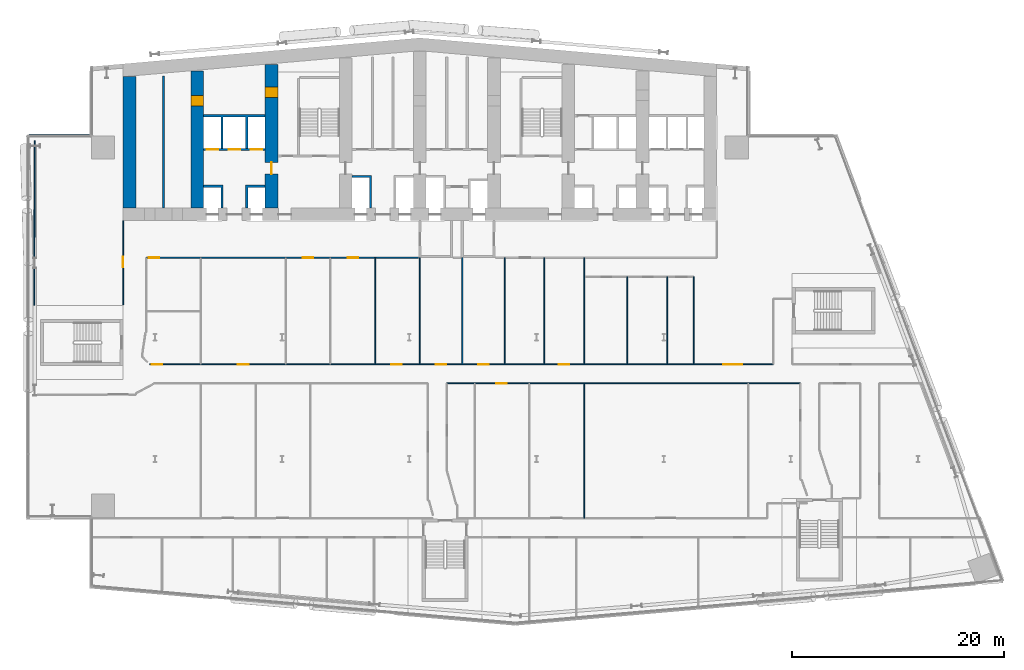
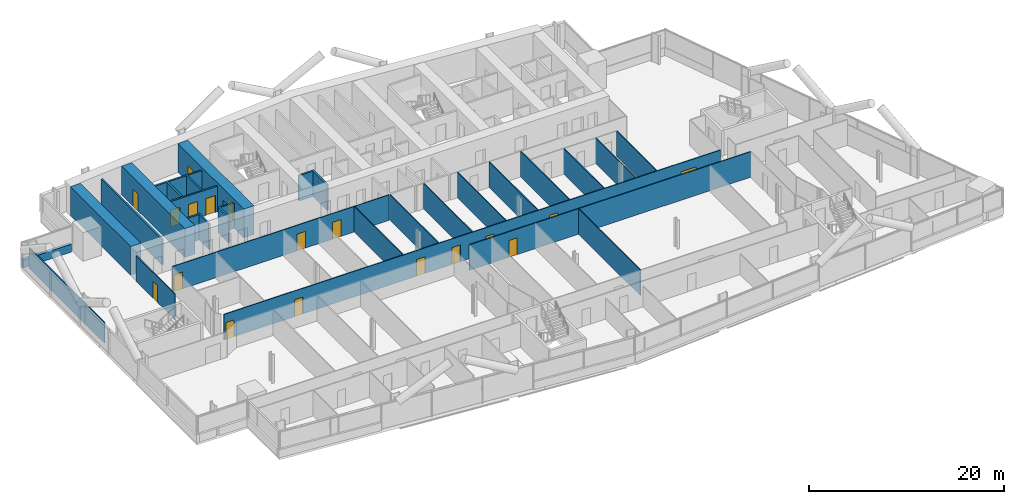
# One storey, part 16 of 28: 26 walls, 18 doors, 18 openings.
"""IFC4 building model written with IfcOpenShell, lengths in metres."""

from ifc_helpers import new_model, si_unit, direction, frame, frame_2d, origin, place, context, subcontext, project, spatial, polyline, rectangle, outline, extrude, material, layer, layer_set, type_object, element, fill, save


model = new_model("IFC4")

# Units and contexts
model_context = context("Model", 3, precision=1e-05, world=origin(), true_north=direction((0.0, 1.0)))
body_context = subcontext(model_context, "Body", "Model", "MODEL_VIEW")
ifc_project = project(units=[si_unit("LENGTHUNIT", "METRE"), si_unit("AREAUNIT", "SQUARE_METRE"), si_unit("VOLUMEUNIT", "CUBIC_METRE"), si_unit("PLANEANGLEUNIT", "RADIAN"), si_unit("MASSUNIT", "GRAM", prefix="KILO")], contexts=[model_context])

# Site, building, storey
site_placement = place(None, origin())
site = spatial("IfcSite", under=ifc_project, at=site_placement, CompositionType="ELEMENT")
building_placement = place(site_placement, origin())
building = spatial("IfcBuilding", under=site, at=building_placement, Name="Wharfspan Tower", CompositionType="ELEMENT")
storey_placement = place(building_placement, frame((0.0, 0.0, 52.300049)))
storey = spatial("IfcBuildingStorey", under=building, at=storey_placement, Name="L09", CompositionType="ELEMENT", Elevation=52.300049)

# Wall, opening, door
ifc_material_1 = material(Name="Gypsum board on steel studs", Category="steel")
ifc_layer_1 = layer(ifc_material_1, 0.100098)
ifc_layer_set_1 = layer_set([ifc_layer_1], Name="Gypsum board on steel studs")
wall_type_1 = type_object("IfcWallType", Name="Compartment wall 100 EI 60", PredefinedType="PARTITIONING", material=ifc_layer_set_1)
wall_1_placement = place(storey_placement, frame((9.0, 26.050049, 0.0), z_axis=(0.0, 0.0, 1.0), x_axis=(0.0, 1.0, 0.0)))
wall_1 = element("IfcWall", 1, at=wall_1_placement, inside=storey, type_object=wall_type_1, Name="Partition L09.w006", PredefinedType="PARTITIONING", context=body_context, shape_type="SweptSolid", body=[
    extrude(rectangle(XDim=7.929932, YDim=0.100098, at=frame_2d((3.964844, 0.0))), origin(), (0.0, 0.0, 1.0), 3.199951),
])
opening_1_placement = place(wall_1_placement, frame((3.530029, 0.0, 0.0)))
opening_1 = element("IfcOpeningElement", 2, at=opening_1_placement, cuts=wall_1, Name="Opening A2-35", PredefinedType="OPENING", context=body_context, shape_type="SweptSolid", body=[
    extrude(rectangle(XDim=1.0, YDim=2.100098, at=frame_2d((0.5, 1.050049))), frame((0.0, 0.060059, 0.0), z_axis=(0.0, -1.0, 0.0), x_axis=(1.0, 0.0, 0.0)), (0.0, 0.0, 1.0), 0.120117),
])
ifc_material_2 = material(Name="Fire-rated timber door leaf in steel frame", Category="steel")
door_type_1 = type_object("IfcDoorType", Name="Door 1000 FD30S Right", OperationType="SINGLE_SWING_RIGHT", PredefinedType="DOOR", material=ifc_material_2)
door_1_placement = place(opening_1_placement, origin())
door_1 = element("IfcDoor", 3, at=door_1_placement, inside=storey, type_object=door_type_1, Name="Door A2-35", OperationType="SINGLE_SWING_RIGHT", OverallHeight=2.100098, OverallWidth=1.0, PredefinedType="DOOR", context=body_context, shape_type="SweptSolid", body=[
    extrude(rectangle(XDim=1.0, YDim=2.100098, at=frame_2d((0.5, 1.050049))), frame((0.0, 0.024902, 0.0), z_axis=(0.0, -1.0, 0.0), x_axis=(1.0, 0.0, 0.0)), (0.0, 0.0, 1.0), 0.050049),
])
fill(opening_1, door_1)

# Wall, openings, doors
wall_2_placement = place(storey_placement, frame((11.199951, 30.5, 0.0), z_axis=(0.0, 0.0, 1.0), x_axis=(1.0, 0.0, 0.0)))
wall_2 = element("IfcWall", 4, at=wall_2_placement, inside=storey, type_object=wall_type_1, Name="Partition L09.w015", PredefinedType="PARTITIONING", context=body_context, shape_type="SweptSolid", body=[
    extrude(rectangle(XDim=25.650146, YDim=0.100098, at=frame_2d((12.825195, 0.0))), origin(), (0.0, 0.0, 1.0), 3.199951),
])
opening_2_placement = place(wall_2_placement, frame((0.195068, 0.0, 0.0)))
opening_2 = element("IfcOpeningElement", 5, at=opening_2_placement, cuts=wall_2, Name="Opening A2-36", PredefinedType="OPENING", context=body_context, shape_type="SweptSolid", body=[
    extrude(rectangle(XDim=1.0, YDim=2.100098, at=frame_2d((0.5, 1.050049))), frame((0.0, 0.060059, 0.0), z_axis=(0.0, -1.0, 0.0), x_axis=(1.0, 0.0, 0.0)), (0.0, 0.0, 1.0), 0.120117),
])
opening_3_placement = place(wall_2_placement, frame((14.754883, 0.0, 0.0)))
opening_3 = element("IfcOpeningElement", 6, at=opening_3_placement, cuts=wall_2, Name="Opening A2-37", PredefinedType="OPENING", context=body_context, shape_type="SweptSolid", body=[
    extrude(rectangle(XDim=1.0, YDim=2.100098, at=frame_2d((0.5, 1.050049))), frame((0.0, 0.060059, 0.0), z_axis=(0.0, -1.0, 0.0), x_axis=(1.0, 0.0, 0.0)), (0.0, 0.0, 1.0), 0.120117),
])
opening_4_placement = place(wall_2_placement, frame((18.975098, 0.0, 0.0)))
opening_4 = element("IfcOpeningElement", 7, at=opening_4_placement, cuts=wall_2, Name="Opening A2-38", PredefinedType="OPENING", context=body_context, shape_type="SweptSolid", body=[
    extrude(rectangle(XDim=1.0, YDim=2.100098, at=frame_2d((0.5, 1.050049))), frame((0.0, 0.060059, 0.0), z_axis=(0.0, -1.0, 0.0), x_axis=(1.0, 0.0, 0.0)), (0.0, 0.0, 1.0), 0.120117),
])
door_type_2 = type_object("IfcDoorType", Name="Door 1000 FD30S Left", OperationType="SINGLE_SWING_LEFT", PredefinedType="DOOR", material=ifc_material_2)
door_2_placement = place(opening_2_placement, origin())
door_2 = element("IfcDoor", 8, at=door_2_placement, inside=storey, type_object=door_type_2, Name="Door A2-36", OperationType="SINGLE_SWING_LEFT", OverallHeight=2.100098, OverallWidth=1.0, PredefinedType="DOOR", context=body_context, shape_type="SweptSolid", body=[
    extrude(rectangle(XDim=1.0, YDim=2.100098, at=frame_2d((0.5, 1.050049))), frame((0.0, 0.024902, 0.0), z_axis=(0.0, -1.0, 0.0), x_axis=(1.0, 0.0, 0.0)), (0.0, 0.0, 1.0), 0.050049),
])
fill(opening_2, door_2)
door_3_placement = place(opening_3_placement, origin())
door_3 = element("IfcDoor", 9, at=door_3_placement, inside=storey, type_object=door_type_2, Name="Door A2-37", OperationType="SINGLE_SWING_LEFT", OverallHeight=2.100098, OverallWidth=1.0, PredefinedType="DOOR", context=body_context, shape_type="SweptSolid", body=[
    extrude(rectangle(XDim=1.0, YDim=2.100098, at=frame_2d((0.5, 1.050049))), frame((0.0, 0.024902, 0.0), z_axis=(0.0, -1.0, 0.0), x_axis=(1.0, 0.0, 0.0)), (0.0, 0.0, 1.0), 0.050049),
])
fill(opening_3, door_3)
door_4_placement = place(opening_4_placement, origin())
door_4 = element("IfcDoor", 10, at=door_4_placement, inside=storey, type_object=door_type_2, Name="Door A2-38", OperationType="SINGLE_SWING_LEFT", OverallHeight=2.100098, OverallWidth=1.0, PredefinedType="DOOR", context=body_context, shape_type="SweptSolid", body=[
    extrude(rectangle(XDim=1.0, YDim=2.100098, at=frame_2d((0.5, 1.050049))), frame((0.0, 0.024902, 0.0), z_axis=(0.0, -1.0, 0.0), x_axis=(1.0, 0.0, 0.0)), (0.0, 0.0, 1.0), 0.050049),
])
fill(opening_4, door_4)

wall_3_placement = place(storey_placement, frame((11.504883, 20.445068, 0.0), z_axis=(0.0, 0.0, 1.0), x_axis=(1.0, 0.0, 0.0)))
wall_3 = element("IfcWall", 11, at=wall_3_placement, inside=storey, type_object=wall_type_1, Name="Partition L09.w017", PredefinedType="PARTITIONING", context=body_context, shape_type="SweptSolid", body=[
    extrude(rectangle(XDim=58.820068, YDim=0.100098, at=frame_2d((29.410156, 0.0))), origin(), (0.0, 0.0, 1.0), 3.199951),
])
opening_5_placement = place(wall_3_placement, frame((0.209961, 0.0, 0.0)))
opening_5 = element("IfcOpeningElement", 12, at=opening_5_placement, cuts=wall_3, Name="Opening A2-24", PredefinedType="OPENING", context=body_context, shape_type="SweptSolid", body=[
    extrude(rectangle(XDim=1.0, YDim=2.100098, at=frame_2d((0.5, 1.050049))), frame((0.0, 0.060059, 0.0), z_axis=(0.0, -1.0, 0.0), x_axis=(1.0, 0.0, 0.0)), (0.0, 0.0, 1.0), 0.120117),
])
opening_6_placement = place(wall_3_placement, frame((8.330078, 0.0, 0.0)))
opening_6 = element("IfcOpeningElement", 13, at=opening_6_placement, cuts=wall_3, Name="Opening A2-25", PredefinedType="OPENING", context=body_context, shape_type="SweptSolid", body=[
    extrude(rectangle(XDim=1.0, YDim=2.100098, at=frame_2d((0.5, 1.050049))), frame((0.0, 0.060059, 0.0), z_axis=(0.0, -1.0, 0.0), x_axis=(1.0, 0.0, 0.0)), (0.0, 0.0, 1.0), 0.120117),
])
opening_7_placement = place(wall_3_placement, frame((22.794922, 0.0, 0.0)))
opening_7 = element("IfcOpeningElement", 14, at=opening_7_placement, cuts=wall_3, Name="Opening A2-26", PredefinedType="OPENING", context=body_context, shape_type="SweptSolid", body=[
    extrude(rectangle(XDim=1.0, YDim=2.100098, at=frame_2d((0.5, 1.050049))), frame((0.0, 0.060059, 0.0), z_axis=(0.0, -1.0, 0.0), x_axis=(1.0, 0.0, 0.0)), (0.0, 0.0, 1.0), 0.120117),
])
opening_8_placement = place(wall_3_placement, frame((26.995117, 0.0, 0.0)))
opening_8 = element("IfcOpeningElement", 15, at=opening_8_placement, cuts=wall_3, Name="Opening A2-27", PredefinedType="OPENING", context=body_context, shape_type="SweptSolid", body=[
    extrude(rectangle(XDim=1.0, YDim=2.100098, at=frame_2d((0.5, 1.050049))), frame((0.0, 0.060059, 0.0), z_axis=(0.0, -1.0, 0.0), x_axis=(1.0, 0.0, 0.0)), (0.0, 0.0, 1.0), 0.120117),
])
opening_9_placement = place(wall_3_placement, frame((30.995117, 0.0, 0.0)))
opening_9 = element("IfcOpeningElement", 16, at=opening_9_placement, cuts=wall_3, Name="Opening A2-28", PredefinedType="OPENING", context=body_context, shape_type="SweptSolid", body=[
    extrude(rectangle(XDim=1.0, YDim=2.100098, at=frame_2d((0.5, 1.050049))), frame((0.0, 0.060059, 0.0), z_axis=(0.0, -1.0, 0.0), x_axis=(1.0, 0.0, 0.0)), (0.0, 0.0, 1.0), 0.120117),
])
opening_10_placement = place(wall_3_placement, frame((38.574951, 0.0, 0.0)))
opening_10 = element("IfcOpeningElement", 17, at=opening_10_placement, cuts=wall_3, Name="Opening A2-29", PredefinedType="OPENING", context=body_context, shape_type="SweptSolid", body=[
    extrude(rectangle(XDim=1.0, YDim=2.100098, at=frame_2d((0.5, 1.050049))), frame((0.0, 0.060059, 0.0), z_axis=(0.0, -1.0, 0.0), x_axis=(1.0, 0.0, 0.0)), (0.0, 0.0, 1.0), 0.120117),
])
opening_11_placement = place(wall_3_placement, frame((54.120117, 0.0, 0.0)))
opening_11 = element("IfcOpeningElement", 18, at=opening_11_placement, cuts=wall_3, Name="Opening A2-30", PredefinedType="OPENING", context=body_context, shape_type="SweptSolid", body=[
    extrude(rectangle(XDim=1.800049, YDim=2.100098, at=frame_2d((0.899902, 1.050049))), frame((0.0, 0.060059, 0.0), z_axis=(0.0, -1.0, 0.0), x_axis=(1.0, 0.0, 0.0)), (0.0, 0.0, 1.0), 0.120117),
])
door_5_placement = place(opening_5_placement, origin())
door_5 = element("IfcDoor", 19, at=door_5_placement, inside=storey, type_object=door_type_2, Name="Door A2-24", OperationType="SINGLE_SWING_LEFT", OverallHeight=2.100098, OverallWidth=1.0, PredefinedType="DOOR", context=body_context, shape_type="SweptSolid", body=[
    extrude(rectangle(XDim=1.0, YDim=2.100098, at=frame_2d((0.5, 1.050049))), frame((0.0, 0.024902, 0.0), z_axis=(0.0, -1.0, 0.0), x_axis=(1.0, 0.0, 0.0)), (0.0, 0.0, 1.0), 0.050049),
])
fill(opening_5, door_5)
door_6_placement = place(opening_6_placement, origin())
door_6 = element("IfcDoor", 20, at=door_6_placement, inside=storey, type_object=door_type_2, Name="Door A2-25", OperationType="SINGLE_SWING_LEFT", OverallHeight=2.100098, OverallWidth=1.0, PredefinedType="DOOR", context=body_context, shape_type="SweptSolid", body=[
    extrude(rectangle(XDim=1.0, YDim=2.100098, at=frame_2d((0.5, 1.050049))), frame((0.0, 0.024902, 0.0), z_axis=(0.0, -1.0, 0.0), x_axis=(1.0, 0.0, 0.0)), (0.0, 0.0, 1.0), 0.050049),
])
fill(opening_6, door_6)
door_7_placement = place(opening_7_placement, origin())
door_7 = element("IfcDoor", 21, at=door_7_placement, inside=storey, type_object=door_type_2, Name="Door A2-26", OperationType="SINGLE_SWING_LEFT", OverallHeight=2.100098, OverallWidth=1.0, PredefinedType="DOOR", context=body_context, shape_type="SweptSolid", body=[
    extrude(rectangle(XDim=1.0, YDim=2.100098, at=frame_2d((0.5, 1.050049))), frame((0.0, 0.024902, 0.0), z_axis=(0.0, -1.0, 0.0), x_axis=(1.0, 0.0, 0.0)), (0.0, 0.0, 1.0), 0.050049),
])
fill(opening_7, door_7)
door_8_placement = place(opening_8_placement, origin())
door_8 = element("IfcDoor", 22, at=door_8_placement, inside=storey, type_object=door_type_2, Name="Door A2-27", OperationType="SINGLE_SWING_LEFT", OverallHeight=2.100098, OverallWidth=1.0, PredefinedType="DOOR", context=body_context, shape_type="SweptSolid", body=[
    extrude(rectangle(XDim=1.0, YDim=2.100098, at=frame_2d((0.5, 1.050049))), frame((0.0, 0.024902, 0.0), z_axis=(0.0, -1.0, 0.0), x_axis=(1.0, 0.0, 0.0)), (0.0, 0.0, 1.0), 0.050049),
])
fill(opening_8, door_8)
door_9_placement = place(opening_9_placement, origin())
door_9 = element("IfcDoor", 23, at=door_9_placement, inside=storey, type_object=door_type_1, Name="Door A2-28", OperationType="SINGLE_SWING_RIGHT", OverallHeight=2.100098, OverallWidth=1.0, PredefinedType="DOOR", context=body_context, shape_type="SweptSolid", body=[
    extrude(rectangle(XDim=1.0, YDim=2.100098, at=frame_2d((0.5, 1.050049))), frame((0.0, 0.024902, 0.0), z_axis=(0.0, -1.0, 0.0), x_axis=(1.0, 0.0, 0.0)), (0.0, 0.0, 1.0), 0.050049),
])
fill(opening_9, door_9)
door_10_placement = place(opening_10_placement, origin())
door_10 = element("IfcDoor", 24, at=door_10_placement, inside=storey, type_object=door_type_1, Name="Door A2-29", OperationType="SINGLE_SWING_RIGHT", OverallHeight=2.100098, OverallWidth=1.0, PredefinedType="DOOR", context=body_context, shape_type="SweptSolid", body=[
    extrude(rectangle(XDim=1.0, YDim=2.100098, at=frame_2d((0.5, 1.050049))), frame((0.0, 0.024902, 0.0), z_axis=(0.0, -1.0, 0.0), x_axis=(1.0, 0.0, 0.0)), (0.0, 0.0, 1.0), 0.050049),
])
fill(opening_10, door_10)
door_type_3 = type_object("IfcDoorType", Name="Door 1800 FD30S Double", OperationType="DOUBLE_DOOR_SINGLE_SWING", PredefinedType="DOOR", material=ifc_material_2)
door_11_placement = place(opening_11_placement, origin())
door_11 = element("IfcDoor", 25, at=door_11_placement, inside=storey, type_object=door_type_3, Name="Door A2-30", OperationType="DOUBLE_DOOR_SINGLE_SWING", OverallHeight=2.100098, OverallWidth=1.800049, PredefinedType="DOOR", context=body_context, shape_type="SweptSolid", body=[
    extrude(rectangle(XDim=1.800049, YDim=2.100098, at=frame_2d((0.899902, 1.050049))), frame((0.0, 0.024902, 0.0), z_axis=(0.0, -1.0, 0.0), x_axis=(1.0, 0.0, 0.0)), (0.0, 0.0, 1.0), 0.050049),
])
fill(opening_11, door_11)

# Walls
for number, where, z_axis, x_axis, name in (
    (26, (32.780029, 20.445068, 0.0), (0.0, 0.0, 1.0), (0.0, 1.0, 0.0), "Partition L09.w032"),
    (27, (37.0, 20.445068, 0.0), (0.0, 0.0, 1.0), (0.0, 1.0, 0.0), "Partition L09.w033"),
):
    element("IfcWall", number, at=place(storey_placement, frame(where, z_axis=z_axis, x_axis=x_axis)), inside=storey, type_object=wall_type_1, Name=name, PredefinedType="PARTITIONING", context=body_context, shape_type="SweptSolid", body=[
        extrude(rectangle(XDim=10.054932, YDim=0.100098, at=frame_2d((5.027344, 0.0))), origin(), (0.0, 0.0, 1.0), 3.199951),
    ])

# Wall, opening, door
wall_4_placement = place(storey_placement, frame((39.550049, 18.639893, 0.0), z_axis=(0.0, 0.0, 1.0), x_axis=(1.0, 0.0, 0.0)))
wall_4 = element("IfcWall", 28, at=wall_4_placement, inside=storey, type_object=wall_type_1, Name="Partition L09.w038", PredefinedType="PARTITIONING", context=body_context, shape_type="SweptSolid", body=[
    extrude(rectangle(XDim=33.339844, YDim=0.100098, at=frame_2d((16.669922, 0.0))), origin(), (0.0, 0.0, 1.0), 3.199951),
])
opening_12_placement = place(wall_4_placement, frame((4.64502, 0.0, 0.0)))
opening_12 = element("IfcOpeningElement", 29, at=opening_12_placement, cuts=wall_4, Name="Opening A2-22", PredefinedType="OPENING", context=body_context, shape_type="SweptSolid", body=[
    extrude(rectangle(XDim=1.0, YDim=2.100098, at=frame_2d((0.5, 1.050049))), frame((0.0, 0.060059, 0.0), z_axis=(0.0, -1.0, 0.0), x_axis=(1.0, 0.0, 0.0)), (0.0, 0.0, 1.0), 0.120117),
])
door_12_placement = place(opening_12_placement, origin())
door_12 = element("IfcDoor", 30, at=door_12_placement, inside=storey, type_object=door_type_2, Name="Door A2-22", OperationType="SINGLE_SWING_LEFT", OverallHeight=2.100098, OverallWidth=1.0, PredefinedType="DOOR", context=body_context, shape_type="SweptSolid", body=[
    extrude(rectangle(XDim=1.0, YDim=2.100098, at=frame_2d((0.5, 1.050049))), frame((0.0, 0.024902, 0.0), z_axis=(0.0, -1.0, 0.0), x_axis=(1.0, 0.0, 0.0)), (0.0, 0.0, 1.0), 0.050049),
])
fill(opening_12, door_12)

# Walls
for number, where, z_axis, x_axis, name in (
    (31, (41.0, 20.445068, 0.0), (0.0, 0.0, 1.0), (0.0, 1.0, 0.0), "Partition L09.w043"),
    (32, (45.0, 20.445068, 0.0), (0.0, 0.0, 1.0), (0.0, 1.0, 0.0), "Partition L09.w046"),
    (33, (48.75, 20.445068, 0.0), (0.0, 0.0, 1.0), (0.0, 1.0, 0.0), "Partition L09.w049"),
):
    element("IfcWall", number, at=place(storey_placement, frame(where, z_axis=z_axis, x_axis=x_axis)), inside=storey, type_object=wall_type_1, Name=name, PredefinedType="PARTITIONING", context=body_context, shape_type="SweptSolid", body=[
        extrude(rectangle(XDim=10.054932, YDim=0.100098, at=frame_2d((5.027344, 0.0))), origin(), (0.0, 0.0, 1.0), 3.199951),
    ])
wall_5_placement = place(storey_placement, frame((52.5, 5.929932, 0.0), z_axis=(0.0, 0.0, 1.0), x_axis=(0.0, 1.0, 0.0)))
element("IfcWall", 34, at=wall_5_placement, inside=storey, type_object=wall_type_1, Name="Partition L09.w051", PredefinedType="PARTITIONING", context=body_context, shape_type="SweptSolid", body=[
    extrude(rectangle(XDim=12.709961, YDim=0.100098, at=frame_2d((6.35498, 0.0))), origin(), (0.0, 0.0, 1.0), 3.199951),
])
wall_6_placement = place(storey_placement, frame((52.5, 20.445068, 0.0), z_axis=(0.0, 0.0, 1.0), x_axis=(0.0, 1.0, 0.0)))
element("IfcWall", 35, at=wall_6_placement, inside=storey, type_object=wall_type_1, Name="Partition L09.w052", PredefinedType="PARTITIONING", context=body_context, shape_type="SweptSolid", body=[
    extrude(rectangle(XDim=10.044922, YDim=0.100098, at=frame_2d((5.022461, 0.0))), origin(), (0.0, 0.0, 1.0), 3.199951),
])
for number, where, z_axis, x_axis, name in (
    (36, (56.584961, 20.445068, 0.0), (0.0, 0.0, 1.0), (0.0, 1.0, 0.0), "Partition L09.w054"),
    (37, (60.35498, 20.445068, 0.0), (0.0, 0.0, 1.0), (0.0, 1.0, 0.0), "Partition L09.w055"),
    (38, (62.834961, 20.445068, 0.0), (0.0, 0.0, 1.0), (0.0, 1.0, 0.0), "Partition L09.w056"),
):
    element("IfcWall", number, at=place(storey_placement, frame(where, z_axis=z_axis, x_axis=x_axis)), inside=storey, type_object=wall_type_1, Name=name, PredefinedType="PARTITIONING", context=body_context, shape_type="SweptSolid", body=[
        extrude(rectangle(XDim=8.254883, YDim=0.100098, at=frame_2d((4.127441, 0.0))), origin(), (0.0, 0.0, 1.0), 3.199951),
    ])
ifc_material_3 = material(Name="Calcium silicate masonry", Category="masonry")
ifc_layer_2 = layer(ifc_material_3, 0.199951)
ifc_layer_set_2 = layer_set([ifc_layer_2], Name="Calcium silicate masonry")
wall_type_2 = type_object("IfcWallType", Name="Core room wall 200", PredefinedType="PARTITIONING", material=ifc_layer_set_2)
wall_7_placement = place(storey_placement, frame((12.800049, 35.199951, 0.0), z_axis=(0.0, 0.0, 1.0), x_axis=(0.0, 1.0, 0.0)))
element("IfcWall", 39, at=wall_7_placement, inside=storey, type_object=wall_type_2, Name="sw:L09:RM0", PredefinedType="PARTITIONING", context=body_context, shape_type="SweptSolid", body=[
    extrude(rectangle(XDim=12.467773, YDim=0.199951, at=frame_2d((6.233887, 0.0))), origin(), (0.0, 0.0, 1.0), 3.199951),
])
ifc_material_4 = material(Name="Concrete C70/85", Category="concrete")
ifc_layer_3 = layer(ifc_material_4, 1.199951)
ifc_layer_set_3 = layer_set([ifc_layer_3], Name="Concrete C70/85")
wall_type_3 = type_object("IfcWallType", Name="Core wall 1200 C70/85", PredefinedType="SHEAR", material=ifc_layer_set_3)
wall_8_placement = place(storey_placement, frame((9.600098, 35.199951, 0.0), z_axis=(0.0, 0.0, 1.0), x_axis=(0.0, 1.0, 0.0)))
element("IfcWall", 40, at=wall_8_placement, inside=storey, type_object=wall_type_3, Name="Core cross wall EW0 L09", PredefinedType="SHEAR", context=body_context, shape_type="SweptSolid", body=[
    extrude(rectangle(XDim=12.382812, YDim=1.199951, at=frame_2d((6.191406, 0.0))), origin(), (0.0, 0.0, 1.0), 3.599854),
])

# Wall, opening, door
wall_9_placement = place(storey_placement, frame((16.0, 35.199951, 0.0), z_axis=(0.0, 0.0, 1.0), x_axis=(0.0, 1.0, 0.0)))
wall_9 = element("IfcWall", 41, at=wall_9_placement, inside=storey, type_object=wall_type_3, Name="Core cross wall X1 L09", PredefinedType="SHEAR", context=body_context, shape_type="SweptSolid", body=[
    extrude(rectangle(XDim=12.942871, YDim=1.199951, at=frame_2d((6.471436, 0.0))), origin(), (0.0, 0.0, 1.0), 3.599854),
])
opening_13_placement = place(wall_9_placement, frame((9.600098, 0.0, 0.0)))
opening_13 = element("IfcOpeningElement", 42, at=opening_13_placement, cuts=wall_9, Name="Opening CR09.1", PredefinedType="OPENING", context=body_context, shape_type="SweptSolid", body=[
    extrude(rectangle(XDim=1.0, YDim=2.100098, at=frame_2d((0.5, 1.050049))), frame((0.0, 0.609863, 0.0), z_axis=(0.0, -1.0, 0.0), x_axis=(1.0, 0.0, 0.0)), (0.0, 0.0, 1.0), 1.219971),
])
ifc_material_5 = material(Name="Steel door leaf", Category="steel")
door_type_4 = type_object("IfcDoorType", Name="Core room door 1000x2100", OperationType="SINGLE_SWING_LEFT", PredefinedType="DOOR", material=ifc_material_5)
door_13_placement = place(opening_13_placement, origin())
door_13 = element("IfcDoor", 43, at=door_13_placement, inside=storey, type_object=door_type_4, Name="xr:L09:1", OperationType="SINGLE_SWING_RIGHT", OverallHeight=2.100098, OverallWidth=1.0, PredefinedType="DOOR", context=body_context, shape_type="SweptSolid", body=[
    extrude(rectangle(XDim=1.0, YDim=2.100098, at=frame_2d((0.5, 1.050049))), frame((0.0, 0.599609, 0.0), z_axis=(0.0, -1.0, 0.0), x_axis=(1.0, 0.0, 0.0)), (0.0, 0.0, 1.0), 1.199463),
])
fill(opening_13, door_13)

# Wall, openings, doors
wall_10_placement = place(storey_placement, frame((23.0, 35.199951, 0.0), z_axis=(0.0, 0.0, 1.0), x_axis=(0.0, 1.0, 0.0)))
wall_10 = element("IfcWall", 44, at=wall_10_placement, inside=storey, type_object=wall_type_3, Name="Core cross wall X2 L09", PredefinedType="SHEAR", context=body_context, shape_type="SweptSolid", body=[
    extrude(rectangle(XDim=13.555176, YDim=1.199951, at=frame_2d((6.777588, 0.0))), origin(), (0.0, 0.0, 1.0), 3.599854),
])
opening_14_placement = place(wall_10_placement, frame((10.413818, 0.0, 0.0)))
opening_14 = element("IfcOpeningElement", 45, at=opening_14_placement, cuts=wall_10, Name="Opening CD09.1X", PredefinedType="OPENING", context=body_context, shape_type="SweptSolid", body=[
    extrude(rectangle(XDim=1.0, YDim=2.100098, at=frame_2d((0.5, 1.050049))), frame((0.0, 0.609863, 0.0), z_axis=(0.0, -1.0, 0.0), x_axis=(1.0, 0.0, 0.0)), (0.0, 0.0, 1.0), 1.219971),
])
opening_15_placement = place(wall_10_placement, frame((3.199951, 0.0, 0.0)))
opening_15 = element("IfcOpeningElement", 46, at=opening_15_placement, cuts=wall_10, Name="Opening CC09.2", PredefinedType="OPENING", context=body_context, shape_type="SweptSolid", body=[
    extrude(rectangle(XDim=1.100098, YDim=2.100098, at=frame_2d((0.550049, 1.050049))), frame((0.0, 0.609863, 0.0), z_axis=(0.0, -1.0, 0.0), x_axis=(1.0, 0.0, 0.0)), (0.0, 0.0, 1.0), 1.219971),
])
door_type_5 = type_object("IfcDoorType", Name="Core corridor door 1100x2100", OperationType="SINGLE_SWING_LEFT", PredefinedType="DOOR", material=ifc_material_5)
door_14_placement = place(opening_15_placement, origin())
door_14 = element("IfcDoor", 47, at=door_14_placement, inside=storey, type_object=door_type_5, Name="xd:L09:2", OperationType="SINGLE_SWING_RIGHT", OverallHeight=2.100098, OverallWidth=1.100098, PredefinedType="DOOR", context=body_context, shape_type="SweptSolid", body=[
    extrude(rectangle(XDim=1.100098, YDim=2.100098, at=frame_2d((0.550049, 1.050049))), frame((0.0, 0.024902, 0.0), z_axis=(0.0, -1.0, 0.0), x_axis=(1.0, 0.0, 0.0)), (0.0, 0.0, 1.0), 0.050049),
])
fill(opening_15, door_14)
door_15_placement = place(opening_14_placement, origin())
door_15 = element("IfcDoor", 48, at=door_15_placement, inside=storey, type_object=door_type_4, Name="d:L09:1:sx", OperationType="SINGLE_SWING_LEFT", OverallHeight=2.100098, OverallWidth=1.0, PredefinedType="DOOR", context=body_context, shape_type="SweptSolid", body=[
    extrude(rectangle(XDim=1.0, YDim=2.100098, at=frame_2d((0.5, 1.050049))), frame((0.0, 0.599609, 0.0), z_axis=(0.0, -1.0, 0.0), x_axis=(1.0, 0.0, 0.0)), (0.0, 0.0, 1.0), 1.199463),
])
fill(opening_14, door_15)

ifc_material_6 = material(Name="Concrete C30/37", Category="concrete")
ifc_layer_4 = layer(ifc_material_6, 0.199951)
ifc_layer_set_4 = layer_set([ifc_layer_4], Name="Concrete C30/37")
wall_type_4 = type_object("IfcWallType", Name="Lift shaft wall 200", PredefinedType="PARTITIONING", material=ifc_layer_set_4)
wall_11_placement = place(storey_placement, frame((16.600098, 40.699951, 0.0), z_axis=(0.0, 0.0, 1.0), x_axis=(1.0, 0.0, 0.0)))
wall_11 = element("IfcWall", 49, at=wall_11_placement, inside=storey, type_object=wall_type_4, Name="sw:L09:RF1", PredefinedType="PARTITIONING", context=body_context, shape_type="SweptSolid", body=[
    extrude(rectangle(XDim=5.799805, YDim=0.199951, at=frame_2d((2.899902, 0.0))), origin(), (0.0, 0.0, 1.0), 3.199951),
])
opening_16_placement = place(wall_11_placement, frame((0.266602, 0.0, 0.0)))
opening_16 = element("IfcOpeningElement", 50, at=opening_16_placement, cuts=wall_11, Name="Opening LD.LA3.L09", PredefinedType="OPENING", context=body_context, shape_type="SweptSolid", body=[
    extrude(rectangle(XDim=1.100098, YDim=2.100098, at=frame_2d((0.550049, 1.050049))), frame((0.0, 0.109863, 0.0), z_axis=(0.0, -1.0, 0.0), x_axis=(1.0, 0.0, 0.0)), (0.0, 0.0, 1.0), 0.219971),
])
opening_17_placement = place(wall_11_placement, frame((2.350098, 0.0, 0.0)))
opening_17 = element("IfcOpeningElement", 51, at=opening_17_placement, cuts=wall_11, Name="Opening LD.LA4.L09", PredefinedType="OPENING", context=body_context, shape_type="SweptSolid", body=[
    extrude(rectangle(XDim=1.100098, YDim=2.100098, at=frame_2d((0.550049, 1.050049))), frame((0.0, 0.109863, 0.0), z_axis=(0.0, -1.0, 0.0), x_axis=(1.0, 0.0, 0.0)), (0.0, 0.0, 1.0), 0.219971),
])
opening_18_placement = place(wall_11_placement, frame((4.43335, 0.0, 0.0)))
opening_18 = element("IfcOpeningElement", 52, at=opening_18_placement, cuts=wall_11, Name="Opening LD.LA5.L09", PredefinedType="OPENING", context=body_context, shape_type="SweptSolid", body=[
    extrude(rectangle(XDim=1.100098, YDim=2.100098, at=frame_2d((0.550049, 1.050049))), frame((0.0, 0.109863, 0.0), z_axis=(0.0, -1.0, 0.0), x_axis=(1.0, 0.0, 0.0)), (0.0, 0.0, 1.0), 0.219971),
])
ifc_material_7 = material(Name="Stainless steel", Category="steel")
door_type_6 = type_object("IfcDoorType", Name="Lift landing door 1100x2100", OperationType="DOUBLE_DOOR_SLIDING", PredefinedType="DOOR", material=ifc_material_7)
door_16_placement = place(opening_16_placement, origin())
door_16 = element("IfcDoor", 53, at=door_16_placement, inside=storey, type_object=door_type_6, Name="Landing door LA3 L09", OperationType="DOUBLE_DOOR_SLIDING", OverallHeight=2.100098, OverallWidth=1.100098, PredefinedType="DOOR", context=body_context, shape_type="SweptSolid", body=[
    extrude(rectangle(XDim=1.100098, YDim=2.100098, at=frame_2d((0.550049, 1.050049))), frame((0.0, 0.024902, 0.0), z_axis=(0.0, -1.0, 0.0), x_axis=(1.0, 0.0, 0.0)), (0.0, 0.0, 1.0), 0.050049),
])
fill(opening_16, door_16)
door_17_placement = place(opening_17_placement, origin())
door_17 = element("IfcDoor", 54, at=door_17_placement, inside=storey, type_object=door_type_6, Name="Landing door LA4 L09", OperationType="DOUBLE_DOOR_SLIDING", OverallHeight=2.100098, OverallWidth=1.100098, PredefinedType="DOOR", context=body_context, shape_type="SweptSolid", body=[
    extrude(rectangle(XDim=1.100098, YDim=2.100098, at=frame_2d((0.550049, 1.050049))), frame((0.0, 0.024902, 0.0), z_axis=(0.0, -1.0, 0.0), x_axis=(1.0, 0.0, 0.0)), (0.0, 0.0, 1.0), 0.050049),
])
fill(opening_17, door_17)
door_18_placement = place(opening_18_placement, origin())
door_18 = element("IfcDoor", 55, at=door_18_placement, inside=storey, type_object=door_type_6, Name="Landing door LA5 L09", OperationType="DOUBLE_DOOR_SLIDING", OverallHeight=2.100098, OverallWidth=1.100098, PredefinedType="DOOR", context=body_context, shape_type="SweptSolid", body=[
    extrude(rectangle(XDim=1.100098, YDim=2.100098, at=frame_2d((0.550049, 1.050049))), frame((0.0, 0.024902, 0.0), z_axis=(0.0, -1.0, 0.0), x_axis=(1.0, 0.0, 0.0)), (0.0, 0.0, 1.0), 0.050049),
])
fill(opening_18, door_18)

# Walls
wall_12_placement = place(storey_placement, frame((0.0, 0.0, -0.000244)))
element("IfcWall", 56, at=wall_12_placement, inside=storey, type_object=wall_type_4, Name="sw:L09:FM1.0", PredefinedType="PARTITIONING", context=body_context, shape_type="SweptSolid", body=[
    extrude(outline(polyline([(18.233398, 37.149902), (16.600098, 37.149902), (16.600098, 37.350098), (18.233398, 37.350098), (18.43335, 37.350098), (18.43335, 35.199951), (18.233398, 35.199951), (18.233398, 37.149902)])), origin(), (0.0, 0.0, 1.0), 3.200195),
])
wall_13_placement = place(storey_placement, frame((0.0, 0.0, -0.000244)))
element("IfcWall", 57, at=wall_13_placement, inside=storey, type_object=wall_type_4, Name="sw:L09:FM1.1", PredefinedType="PARTITIONING", context=body_context, shape_type="SweptSolid", body=[
    extrude(outline(polyline([(20.56665, 37.350098), (20.766602, 37.350098), (22.399902, 37.350098), (22.399902, 37.149902), (20.766602, 37.149902), (20.766602, 35.199951), (20.56665, 35.199951), (20.56665, 37.350098)])), origin(), (0.0, 0.0, 1.0), 3.200195),
])
wall_14_placement = place(storey_placement, frame((0.0, 0.0, -0.000244)))
element("IfcWall", 58, at=wall_14_placement, inside=storey, type_object=wall_type_4, Name="sw:L09:RM1.0", PredefinedType="PARTITIONING", context=body_context, shape_type="SweptSolid", body=[
    extrude(outline(polyline([(18.43335, 40.800049), (18.233398, 40.800049), (18.233398, 43.800049), (16.600098, 43.800049), (16.600098, 44.0), (22.399902, 44.0), (22.399902, 43.800049), (20.766602, 43.800049), (20.766602, 40.800049), (20.56665, 40.800049), (20.56665, 43.800049), (18.43335, 43.800049), (18.43335, 40.800049)])), origin(), (0.0, 0.0, 1.0), 3.200195),
])
wall_15_placement = place(storey_placement, frame((0.0, 0.0, -0.000244)))
element("IfcWall", 59, at=wall_15_placement, inside=storey, type_object=wall_type_4, Name="sw:L09:FM3.0", PredefinedType="PARTITIONING", context=body_context, shape_type="SweptSolid", body=[
    extrude(outline(polyline([(32.233398, 38.050049), (30.600098, 38.050049), (30.600098, 38.25), (32.233398, 38.25), (32.43335, 38.25), (32.43335, 35.199951), (32.233398, 35.199951), (32.233398, 38.050049)])), origin(), (0.0, 0.0, 1.0), 3.200195),
])
ifc_layer_5 = layer(ifc_material_1, 0.100098)
ifc_layer_set_5 = layer_set([ifc_layer_5], Name="Gypsum board on steel studs")
wall_type_5 = type_object("IfcWallType", Name="Partition 100", PredefinedType="PARTITIONING", material=ifc_layer_set_5)
wall_16_placement = place(storey_placement, frame((0.629883, 26.02002, 0.0), z_axis=(0.0, 0.0, 1.0), x_axis=(0.0, 1.0, 0.0)))
element("IfcWall", 60, at=wall_16_placement, inside=storey, type_object=wall_type_5, Name="Partition L09.w002", PredefinedType="PARTITIONING", context=body_context, shape_type="SweptSolid", body=[
    extrude(rectangle(XDim=3.97998, YDim=0.100098, at=frame_2d((1.98999, 0.0))), origin(), (0.0, 0.0, 1.0), 2.579834),
])
wall_17_placement = place(storey_placement, frame((0.629883, 30.0, 0.0), z_axis=(0.0, 0.0, 1.0), x_axis=(0.00218, 0.999994, 0.0)))
element("IfcWall", 61, at=wall_17_placement, inside=storey, type_object=wall_type_5, Name="Partition L09.w003", PredefinedType="PARTITIONING", context=body_context, shape_type="SweptSolid", body=[
    extrude(rectangle(XDim=11.534912, YDim=0.100098, at=frame_2d((5.767578, 0.0))), origin(), (0.0, 0.0, 1.0), 2.579834),
])
ifc_material_8 = material(Name="Concrete C40/50", Category="concrete")
ifc_layer_6 = layer(ifc_material_8, 0.350098)
ifc_layer_set_6 = layer_set([ifc_layer_6], Name="Concrete C40/50")
wall_type_6 = type_object("IfcWallType", Name="SPANDREL EXPOSED CONCRETE 350", PredefinedType="SOLIDWALL", material=ifc_layer_set_6)
wall_18_placement = place(storey_placement, frame((5.820068, 42.004883, 0.0), z_axis=(0.0, 0.0, 1.0), x_axis=(-1.0, 0.0, 0.0)))
element("IfcWall", 62, at=wall_18_placement, inside=storey, type_object=wall_type_6, Name="Spandrel upstand L09 NRW-H", PredefinedType="SOLIDWALL", context=body_context, shape_type="SweptSolid", body=[
    extrude(rectangle(XDim=5.699951, YDim=0.350098, at=frame_2d((2.850098, 0.0))), origin(), (0.0, 0.0, 1.0), 1.0),
])

save(model, "model.ifc")
